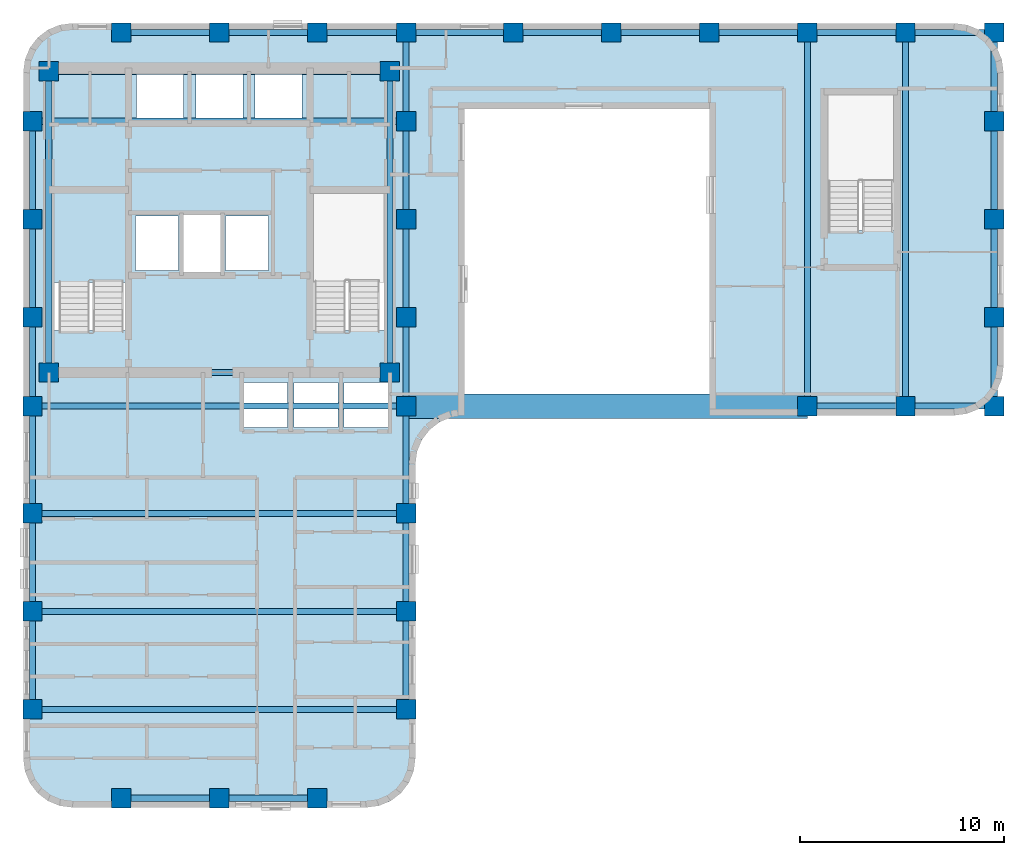
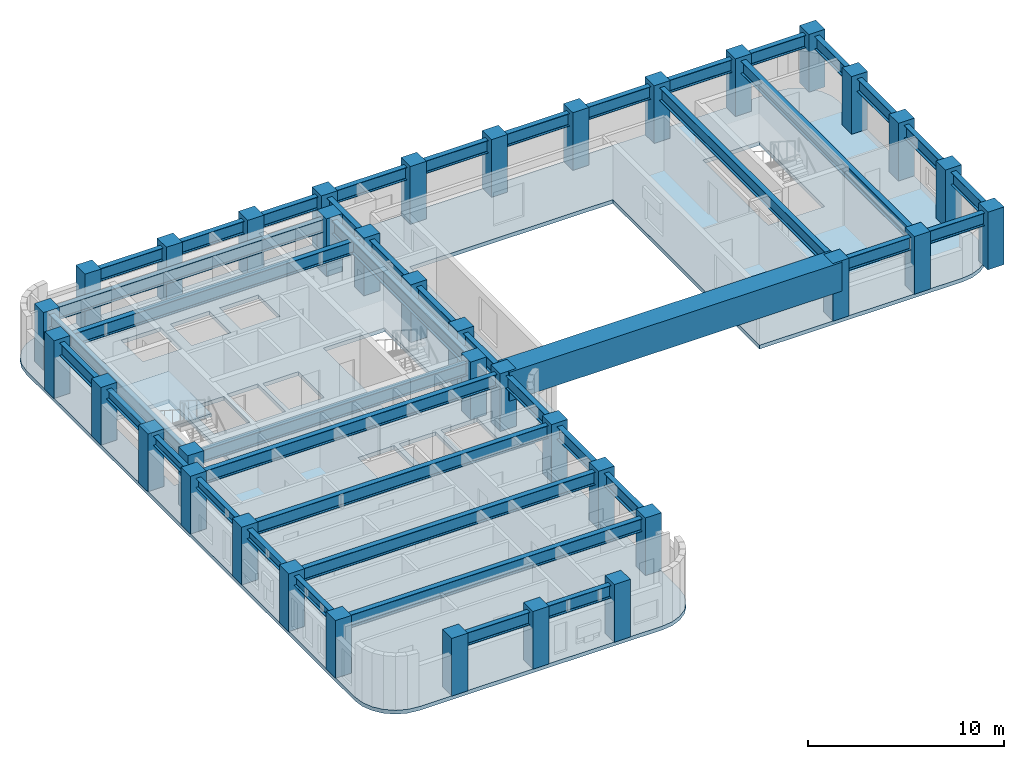
# One storey, part 1 of 8: 42 beams, 37 columns, 2 slabs, 1 element without a shape of its own.
"""IFC4 building model written with IfcOpenShell, lengths in metres."""

from ifc_helpers import new_model, si_unit, direction, frame, origin, origin_2d, place, context, subcontext, project, spatial, polyline, rectangle, i_section, outline, extrude, material, layer, layer_set, material_profile, profile_set, type_object, element, aggregate, save


model = new_model("IFC4")

# Units and contexts
model_context = context("Model", 3, precision=1e-05, world=origin(), true_north=direction((0.0, 1.0)))
body_context = subcontext(model_context, "Body", "Model", "MODEL_VIEW")
ifc_project = project(units=[si_unit("LENGTHUNIT", "METRE"), si_unit("AREAUNIT", "SQUARE_METRE"), si_unit("VOLUMEUNIT", "CUBIC_METRE"), si_unit("PLANEANGLEUNIT", "RADIAN"), si_unit("MASSUNIT", "GRAM", prefix="KILO")], contexts=[model_context])

# Site, building, storey
site_placement = place(None, origin())
site = spatial("IfcSite", under=ifc_project, at=site_placement, CompositionType="ELEMENT")
building_placement = place(site_placement, origin())
building = spatial("IfcBuilding", under=site, at=building_placement, Name="Orvandelia Arch Residences", CompositionType="ELEMENT")
storey_placement = place(building_placement, frame((0.0, 0.0, 107.199951171875)))
storey = spatial("IfcBuildingStorey", under=building, at=storey_placement, Name="L27", CompositionType="ELEMENT", Elevation=107.199951171875)

# Columns
ifc_material_1 = material(Name="Concrete C60/75", Category="concrete")
ifc_material_profile_1 = material_profile(ifc_material_1, rectangle(XDim=0.949951171875, YDim=0.949951171875, at=origin_2d()), Name="Concrete C60/75", Category="concrete")
ifc_profile_set_1 = profile_set([ifc_material_profile_1], Name="Concrete C60/75")
column_type = type_object("IfcColumnType", Name="COL-TWR-950", PredefinedType="COLUMN", material=ifc_profile_set_1)
for number, where, z_axis, x_axis, name in (
    (1, (5.25, 14.39990234375, 0.0), (0.0, 0.0, 1.0), (1.0, 0.0, 0.0), "Structural Column L27-W-W-144"),
    (2, (5.25, 19.199951171875, 0.0), (0.0, 0.0, 1.0), (1.0, 0.0, 0.0), "Structural Column L27-W-W-192"),
    (3, (5.25, 24.0, 0.0), (0.0, 0.0, 1.0), (1.0, 0.0, 0.0), "Structural Column L27-W-W-240"),
    (4, (5.25, 29.25, 0.0), (0.0, 0.0, 1.0), (1.0, 0.0, 0.0), "Structural Column L27-W-W-292"),
    (5, (5.25, 33.60009765625, 0.0), (0.0, 0.0, 1.0), (1.0, 0.0, 0.0), "Structural Column L27-W-W-336"),
    (6, (5.25, 38.39990234375, 0.0), (0.0, 0.0, 1.0), (1.0, 0.0, 0.0), "Structural Column L27-W-W-384"),
    (7, (5.25, 43.199951171875, 0.0), (0.0, 0.0, 1.0), (1.0, 0.0, 0.0), "Structural Column L27-W-W-432"),
    (8, (6.050048828125, 30.89990234375, 0.0), (0.0, 0.0, 1.0), (1.0, 0.0, 0.0), "Structural Column L27-CR-SW"),
    (9, (6.050048828125, 45.64990234375, 0.0), (0.0, 0.0, 1.0), (1.0, 0.0, 0.0), "Structural Column L27-CR-NW"),
    (10, (9.60009765625, 10.050048828125, 0.0), (0.0, 0.0, 1.0), (1.0, 0.0, 0.0), "Structural Column L27-W-S-96"),
    (11, (9.60009765625, 47.550048828125, 0.0), (0.0, 0.0, 1.0), (1.0, 0.0, 0.0), "Structural Column L27-W-N-96"),
    (12, (14.39990234375, 10.050048828125, 0.0), (0.0, 0.0, 1.0), (1.0, 0.0, 0.0), "Structural Column L27-W-S-144"),
    (13, (14.39990234375, 47.550048828125, 0.0), (0.0, 0.0, 1.0), (1.0, 0.0, 0.0), "Structural Column L27-W-N-144"),
    (14, (19.199951171875, 10.050048828125, 0.0), (0.0, 0.0, 1.0), (1.0, 0.0, 0.0), "Structural Column L27-W-S-192"),
    (15, (19.199951171875, 47.550048828125, 0.0), (0.0, 0.0, 1.0), (1.0, 0.0, 0.0), "Structural Column L27-W-N-192"),
    (16, (22.75, 30.89990234375, 0.0), (0.0, 0.0, 1.0), (1.0, 0.0, 0.0), "Structural Column L27-CR-SE"),
    (17, (22.75, 45.64990234375, 0.0), (0.0, 0.0, 1.0), (1.0, 0.0, 0.0), "Structural Column L27-CR-NE"),
    (18, (23.550048828125, 14.39990234375, 0.0), (0.0, 0.0, 1.0), (1.0, 0.0, 0.0), "Structural Column L27-W-E-144"),
    (19, (23.550048828125, 19.199951171875, 0.0), (0.0, 0.0, 1.0), (1.0, 0.0, 0.0), "Structural Column L27-W-E-192"),
    (20, (23.550048828125, 24.0, 0.0), (0.0, 0.0, 1.0), (1.0, 0.0, 0.0), "Structural Column L27-W-E-240"),
    (21, (23.550048828125, 29.25, 0.0), (0.0, 0.0, 1.0), (1.0, 0.0, 0.0), "Structural Column L27-W-E-292"),
    (22, (23.550048828125, 33.60009765625, 0.0), (0.0, 0.0, 1.0), (1.0, 0.0, 0.0), "Structural Column L27-W-E-336"),
    (23, (23.550048828125, 38.39990234375, 0.0), (0.0, 0.0, 1.0), (1.0, 0.0, 0.0), "Structural Column L27-W-E-384"),
    (24, (23.550048828125, 43.199951171875, 0.0), (0.0, 0.0, 1.0), (1.0, 0.0, 0.0), "Structural Column L27-W-E-432"),
    (25, (23.550048828125, 47.550048828125, 0.0), (0.0, 0.0, 1.0), (1.0, 0.0, 0.0), "Structural Column L27-W-N-235"),
    (26, (28.800048828125, 47.550048828125, 0.0), (0.0, 0.0, 1.0), (1.0, 0.0, 0.0), "Structural Column L27-E-N-288"),
    (27, (33.60009765625, 47.550048828125, 0.0), (0.0, 0.0, 1.0), (1.0, 0.0, 0.0), "Structural Column L27-E-N-336"),
    (28, (38.39990234375, 47.550048828125, 0.0), (0.0, 0.0, 1.0), (1.0, 0.0, 0.0), "Structural Column L27-E-N-384"),
    (29, (43.199951171875, 29.25, 0.0), (0.0, 0.0, 1.0), (1.0, 0.0, 0.0), "Structural Column L27-E-S-432"),
    (30, (43.199951171875, 47.550048828125, 0.0), (0.0, 0.0, 1.0), (1.0, 0.0, 0.0), "Structural Column L27-E-N-432"),
    (31, (48.0, 29.25, 0.0), (0.0, 0.0, 1.0), (1.0, 0.0, 0.0), "Structural Column L27-E-S-480"),
    (32, (48.0, 47.550048828125, 0.0), (0.0, 0.0, 1.0), (1.0, 0.0, 0.0), "Structural Column L27-E-N-480"),
    (33, (52.35009765625, 29.25, 0.0), (0.0, 0.0, 1.0), (1.0, 0.0, 0.0), "Structural Column L27-E-S-523"),
    (34, (52.35009765625, 33.60009765625, 0.0), (0.0, 0.0, 1.0), (1.0, 0.0, 0.0), "Structural Column L27-E-523-336"),
    (35, (52.35009765625, 38.39990234375, 0.0), (0.0, 0.0, 1.0), (1.0, 0.0, 0.0), "Structural Column L27-E-523-384"),
    (36, (52.35009765625, 43.199951171875, 0.0), (0.0, 0.0, 1.0), (1.0, 0.0, 0.0), "Structural Column L27-E-523-432"),
    (37, (52.35009765625, 47.550048828125, 0.0), (0.0, 0.0, 1.0), (1.0, 0.0, 0.0), "Structural Column L27-E-N-523"),
):
    element("IfcColumn", number, at=place(storey_placement, frame(where, z_axis=z_axis, x_axis=x_axis)), inside=storey, type_object=column_type, Name=name, PredefinedType="COLUMN", context=body_context, shape_type="SweptSolid", body=[
        extrude(rectangle(XDim=0.949951171875, YDim=0.949951171875, at=origin_2d()), origin(), (0.0, 0.0, 1.0), 3.60009765625),
    ])

# Beams
ifc_material_2 = material(Name="Structural Steel SM355 (355 MPa)", Category="steel")
ifc_material_profile_2 = material_profile(ifc_material_2, i_section(OverallWidth=0.300048828125, OverallDepth=0.800048828125, WebThickness=0.013916015625, FlangeThickness=0.02587890625, FilletRadius=0.02587890625, at=origin_2d()), Name="Structural Steel SM355 (355 MPa)", Category="steel")
ifc_profile_set_2 = profile_set([ifc_material_profile_2], Name="Structural Steel SM355 (355 MPa)")
beam_type_1 = type_object("IfcBeamType", Name="BM-GRD-H800", PredefinedType="BEAM", material=ifc_profile_set_2)
beam_1_placement = place(storey_placement, frame((5.25, 38.39990234375, 2.9599609375), z_axis=(0.0, 1.0, 0.0), x_axis=(-1.0, 0.0, 0.0)))
element("IfcBeam", 38, at=beam_1_placement, inside=storey, type_object=beam_type_1, Name="Structural Frame Beam L27-NS-006", PredefinedType="BEAM", context=body_context, shape_type="SweptSolid", body=[
    extrude(i_section(OverallWidth=0.300048828125, OverallDepth=0.800048828125, WebThickness=0.013916015625, FlangeThickness=0.02587890625, FilletRadius=0.02587890625, at=origin_2d()), origin(), (0.0, 0.0, 1.0), 4.800048828125),
])
for number, where, z_axis, x_axis, name in (
    (39, (6.050048828125, 30.89990234375, 2.9599609375), (0.0, 1.0, 0.0), (-1.0, 0.0, 0.0), "Structural Frame Beam L27-NS-007"),
    (40, (22.75, 30.89990234375, 2.9599609375), (0.0, 1.0, 0.0), (-1.0, 0.0, 0.0), "Structural Frame Beam L27-NS-008"),
):
    element("IfcBeam", number, at=place(storey_placement, frame(where, z_axis=z_axis, x_axis=x_axis)), inside=storey, type_object=beam_type_1, Name=name, PredefinedType="BEAM", context=body_context, shape_type="SweptSolid", body=[
        extrude(i_section(OverallWidth=0.300048828125, OverallDepth=0.800048828125, WebThickness=0.013916015625, FlangeThickness=0.02587890625, FilletRadius=0.02587890625, at=origin_2d()), origin(), (0.0, 0.0, 1.0), 14.75),
    ])
for number, where, z_axis, x_axis, name in (
    (41, (23.550048828125, 14.39990234375, 2.9599609375), (0.0, 1.0, 0.0), (-1.0, 0.0, 0.0), "Structural Frame Beam L27-NS-009"),
    (42, (23.550048828125, 19.199951171875, 2.9599609375), (0.0, 1.0, 0.0), (-1.0, 0.0, 0.0), "Structural Frame Beam L27-NS-010"),
):
    element("IfcBeam", number, at=place(storey_placement, frame(where, z_axis=z_axis, x_axis=x_axis)), inside=storey, type_object=beam_type_1, Name=name, PredefinedType="BEAM", context=body_context, shape_type="SweptSolid", body=[
        extrude(i_section(OverallWidth=0.300048828125, OverallDepth=0.800048828125, WebThickness=0.013916015625, FlangeThickness=0.02587890625, FilletRadius=0.02587890625, at=origin_2d()), origin(), (0.0, 0.0, 1.0), 4.800048828125),
    ])
beam_2_placement = place(storey_placement, frame((23.550048828125, 24.0, 2.9599609375), z_axis=(0.0, 1.0, 0.0), x_axis=(-1.0, 0.0, 0.0)))
element("IfcBeam", 43, at=beam_2_placement, inside=storey, type_object=beam_type_1, Name="Structural Frame Beam L27-NS-011", PredefinedType="BEAM", context=body_context, shape_type="SweptSolid", body=[
    extrude(i_section(OverallWidth=0.300048828125, OverallDepth=0.800048828125, WebThickness=0.013916015625, FlangeThickness=0.02587890625, FilletRadius=0.02587890625, at=origin_2d()), origin(), (0.0, 0.0, 1.0), 5.25),
])
beam_3_placement = place(storey_placement, frame((23.550048828125, 29.25, 2.9599609375), z_axis=(0.0, 1.0, 0.0), x_axis=(-1.0, 0.0, 0.0)))
element("IfcBeam", 44, at=beam_3_placement, inside=storey, type_object=beam_type_1, Name="Structural Frame Beam L27-NS-012", PredefinedType="BEAM", context=body_context, shape_type="SweptSolid", body=[
    extrude(i_section(OverallWidth=0.300048828125, OverallDepth=0.800048828125, WebThickness=0.013916015625, FlangeThickness=0.02587890625, FilletRadius=0.02587890625, at=origin_2d()), origin(), (0.0, 0.0, 1.0), 4.35009765625),
])
beam_4_placement = place(storey_placement, frame((23.550048828125, 33.60009765625, 2.9599609375), z_axis=(0.0, 1.0, 0.0), x_axis=(-1.0, 0.0, 0.0)))
element("IfcBeam", 45, at=beam_4_placement, inside=storey, type_object=beam_type_1, Name="Structural Frame Beam L27-NS-013", PredefinedType="BEAM", context=body_context, shape_type="SweptSolid", body=[
    extrude(i_section(OverallWidth=0.300048828125, OverallDepth=0.800048828125, WebThickness=0.013916015625, FlangeThickness=0.02587890625, FilletRadius=0.02587890625, at=origin_2d()), origin(), (0.0, 0.0, 1.0), 4.7998046875),
])
beam_5_placement = place(storey_placement, frame((23.550048828125, 38.39990234375, 2.9599609375), z_axis=(0.0, 1.0, 0.0), x_axis=(-1.0, 0.0, 0.0)))
element("IfcBeam", 46, at=beam_5_placement, inside=storey, type_object=beam_type_1, Name="Structural Frame Beam L27-NS-014", PredefinedType="BEAM", context=body_context, shape_type="SweptSolid", body=[
    extrude(i_section(OverallWidth=0.300048828125, OverallDepth=0.800048828125, WebThickness=0.013916015625, FlangeThickness=0.02587890625, FilletRadius=0.02587890625, at=origin_2d()), origin(), (0.0, 0.0, 1.0), 4.800048828125),
])
beam_6_placement = place(storey_placement, frame((23.550048828125, 43.199951171875, 2.9599609375), z_axis=(0.0, 1.0, 0.0), x_axis=(-1.0, 0.0, 0.0)))
element("IfcBeam", 47, at=beam_6_placement, inside=storey, type_object=beam_type_1, Name="Structural Frame Beam L27-NS-015", PredefinedType="BEAM", context=body_context, shape_type="SweptSolid", body=[
    extrude(i_section(OverallWidth=0.300048828125, OverallDepth=0.800048828125, WebThickness=0.013916015625, FlangeThickness=0.02587890625, FilletRadius=0.02587890625, at=origin_2d()), origin(), (0.0, 0.0, 1.0), 4.35009765625),
])
for number, where, z_axis, x_axis, name in (
    (48, (43.199951171875, 29.25, 2.9599609375), (0.0, 1.0, 0.0), (-1.0, 0.0, 0.0), "Structural Frame Beam L27-NS-016"),
    (49, (48.0, 29.25, 2.9599609375), (0.0, 1.0, 0.0), (-1.0, 0.0, 0.0), "Structural Frame Beam L27-NS-017"),
):
    element("IfcBeam", number, at=place(storey_placement, frame(where, z_axis=z_axis, x_axis=x_axis)), inside=storey, type_object=beam_type_1, Name=name, PredefinedType="BEAM", context=body_context, shape_type="SweptSolid", body=[
        extrude(i_section(OverallWidth=0.300048828125, OverallDepth=0.800048828125, WebThickness=0.013916015625, FlangeThickness=0.02587890625, FilletRadius=0.02587890625, at=origin_2d()), origin(), (0.0, 0.0, 1.0), 18.300048828125),
    ])
beam_7_placement = place(storey_placement, frame((52.35009765625, 29.25, 2.9599609375), z_axis=(0.0, 1.0, 0.0), x_axis=(-1.0, 0.0, 0.0)))
element("IfcBeam", 50, at=beam_7_placement, inside=storey, type_object=beam_type_1, Name="Structural Frame Beam L27-NS-018", PredefinedType="BEAM", context=body_context, shape_type="SweptSolid", body=[
    extrude(i_section(OverallWidth=0.300048828125, OverallDepth=0.800048828125, WebThickness=0.013916015625, FlangeThickness=0.02587890625, FilletRadius=0.02587890625, at=origin_2d()), origin(), (0.0, 0.0, 1.0), 4.35009765625),
])
beam_8_placement = place(storey_placement, frame((52.35009765625, 33.60009765625, 2.9599609375), z_axis=(0.0, 1.0, 0.0), x_axis=(-1.0, 0.0, 0.0)))
element("IfcBeam", 51, at=beam_8_placement, inside=storey, type_object=beam_type_1, Name="Structural Frame Beam L27-NS-019", PredefinedType="BEAM", context=body_context, shape_type="SweptSolid", body=[
    extrude(i_section(OverallWidth=0.300048828125, OverallDepth=0.800048828125, WebThickness=0.013916015625, FlangeThickness=0.02587890625, FilletRadius=0.02587890625, at=origin_2d()), origin(), (0.0, 0.0, 1.0), 4.7998046875),
])
beam_9_placement = place(storey_placement, frame((52.35009765625, 38.39990234375, 2.9599609375), z_axis=(0.0, 1.0, 0.0), x_axis=(-1.0, 0.0, 0.0)))
element("IfcBeam", 52, at=beam_9_placement, inside=storey, type_object=beam_type_1, Name="Structural Frame Beam L27-NS-020", PredefinedType="BEAM", context=body_context, shape_type="SweptSolid", body=[
    extrude(i_section(OverallWidth=0.300048828125, OverallDepth=0.800048828125, WebThickness=0.013916015625, FlangeThickness=0.02587890625, FilletRadius=0.02587890625, at=origin_2d()), origin(), (0.0, 0.0, 1.0), 4.800048828125),
])
beam_10_placement = place(storey_placement, frame((52.35009765625, 43.199951171875, 2.9599609375), z_axis=(0.0, 1.0, 0.0), x_axis=(-1.0, 0.0, 0.0)))
element("IfcBeam", 53, at=beam_10_placement, inside=storey, type_object=beam_type_1, Name="Structural Frame Beam L27-NS-021", PredefinedType="BEAM", context=body_context, shape_type="SweptSolid", body=[
    extrude(i_section(OverallWidth=0.300048828125, OverallDepth=0.800048828125, WebThickness=0.013916015625, FlangeThickness=0.02587890625, FilletRadius=0.02587890625, at=origin_2d()), origin(), (0.0, 0.0, 1.0), 4.35009765625),
])
beam_11_placement = place(storey_placement, frame((9.60009765625, 10.050048828125, 2.9599609375), z_axis=(1.0, 0.0, 0.0), x_axis=(0.0, 1.0, 0.0)))
element("IfcBeam", 54, at=beam_11_placement, inside=storey, type_object=beam_type_1, Name="Structural Frame Girder L27-EW-022", PredefinedType="BEAM", context=body_context, shape_type="SweptSolid", body=[
    extrude(i_section(OverallWidth=0.300048828125, OverallDepth=0.800048828125, WebThickness=0.013916015625, FlangeThickness=0.02587890625, FilletRadius=0.02587890625, at=origin_2d()), origin(), (0.0, 0.0, 1.0), 4.7998046875),
])
beam_12_placement = place(storey_placement, frame((14.39990234375, 10.050048828125, 2.9599609375), z_axis=(1.0, 0.0, 0.0), x_axis=(0.0, 1.0, 0.0)))
element("IfcBeam", 55, at=beam_12_placement, inside=storey, type_object=beam_type_1, Name="Structural Frame Girder L27-EW-023", PredefinedType="BEAM", context=body_context, shape_type="SweptSolid", body=[
    extrude(i_section(OverallWidth=0.300048828125, OverallDepth=0.800048828125, WebThickness=0.013916015625, FlangeThickness=0.02587890625, FilletRadius=0.02587890625, at=origin_2d()), origin(), (0.0, 0.0, 1.0), 4.800048828125),
])
for number, where, z_axis, x_axis, name in (
    (56, (5.25, 14.39990234375, 2.9599609375), (1.0, 0.0, 0.0), (0.0, 1.0, 0.0), "Structural Frame Girder L27-EW-024"),
    (57, (5.25, 19.199951171875, 2.9599609375), (1.0, 0.0, 0.0), (0.0, 1.0, 0.0), "Structural Frame Girder L27-EW-025"),
    (58, (5.25, 24.0, 2.9599609375), (1.0, 0.0, 0.0), (0.0, 1.0, 0.0), "Structural Frame Girder L27-EW-026"),
    (59, (5.25, 29.25, 2.9599609375), (1.0, 0.0, 0.0), (0.0, 1.0, 0.0), "Structural Frame Girder L27-EW-027"),
):
    element("IfcBeam", number, at=place(storey_placement, frame(where, z_axis=z_axis, x_axis=x_axis)), inside=storey, type_object=beam_type_1, Name=name, PredefinedType="BEAM", context=body_context, shape_type="SweptSolid", body=[
        extrude(i_section(OverallWidth=0.300048828125, OverallDepth=0.800048828125, WebThickness=0.013916015625, FlangeThickness=0.02587890625, FilletRadius=0.02587890625, at=origin_2d()), origin(), (0.0, 0.0, 1.0), 18.300048828125),
    ])
beam_13_placement = place(storey_placement, frame((43.199951171875, 29.25, 2.9599609375), z_axis=(1.0, 0.0, 0.0), x_axis=(0.0, 1.0, 0.0)))
element("IfcBeam", 60, at=beam_13_placement, inside=storey, type_object=beam_type_1, Name="Structural Frame Girder L27-EW-028", PredefinedType="BEAM", context=body_context, shape_type="SweptSolid", body=[
    extrude(i_section(OverallWidth=0.300048828125, OverallDepth=0.800048828125, WebThickness=0.013916015625, FlangeThickness=0.02587890625, FilletRadius=0.02587890625, at=origin_2d()), origin(), (0.0, 0.0, 1.0), 4.800048828125),
])
beam_14_placement = place(storey_placement, frame((48.0, 29.25, 2.9599609375), z_axis=(1.0, 0.0, 0.0), x_axis=(0.0, 1.0, 0.0)))
element("IfcBeam", 61, at=beam_14_placement, inside=storey, type_object=beam_type_1, Name="Structural Frame Girder L27-EW-029", PredefinedType="BEAM", context=body_context, shape_type="SweptSolid", body=[
    extrude(i_section(OverallWidth=0.300048828125, OverallDepth=0.800048828125, WebThickness=0.013916015625, FlangeThickness=0.02587890625, FilletRadius=0.02587890625, at=origin_2d()), origin(), (0.0, 0.0, 1.0), 4.35009765625),
])
beam_15_placement = place(storey_placement, frame((6.050048828125, 30.89990234375, 2.9599609375), z_axis=(1.0, 0.0, 0.0), x_axis=(0.0, 1.0, 0.0)))
element("IfcBeam", 62, at=beam_15_placement, inside=storey, type_object=beam_type_1, Name="Structural Frame Girder L27-EW-030", PredefinedType="BEAM", context=body_context, shape_type="SweptSolid", body=[
    extrude(i_section(OverallWidth=0.300048828125, OverallDepth=0.800048828125, WebThickness=0.013916015625, FlangeThickness=0.02587890625, FilletRadius=0.02587890625, at=origin_2d()), origin(), (0.0, 0.0, 1.0), 16.699951171875),
])
beam_16_placement = place(storey_placement, frame((5.25, 43.199951171875, 2.9599609375), z_axis=(1.0, 0.0, 0.0), x_axis=(0.0, 1.0, 0.0)))
element("IfcBeam", 63, at=beam_16_placement, inside=storey, type_object=beam_type_1, Name="Structural Frame Girder L27-EW-033", PredefinedType="BEAM", context=body_context, shape_type="SweptSolid", body=[
    extrude(i_section(OverallWidth=0.300048828125, OverallDepth=0.800048828125, WebThickness=0.013916015625, FlangeThickness=0.02587890625, FilletRadius=0.02587890625, at=origin_2d()), origin(), (0.0, 0.0, 1.0), 18.300048828125),
])
beam_17_placement = place(storey_placement, frame((6.050048828125, 45.64990234375, 2.9599609375), z_axis=(1.0, 0.0, 0.0), x_axis=(0.0, 1.0, 0.0)))
element("IfcBeam", 64, at=beam_17_placement, inside=storey, type_object=beam_type_1, Name="Structural Frame Girder L27-EW-034", PredefinedType="BEAM", context=body_context, shape_type="SweptSolid", body=[
    extrude(i_section(OverallWidth=0.300048828125, OverallDepth=0.800048828125, WebThickness=0.013916015625, FlangeThickness=0.02587890625, FilletRadius=0.02587890625, at=origin_2d()), origin(), (0.0, 0.0, 1.0), 16.699951171875),
])
beam_18_placement = place(storey_placement, frame((9.60009765625, 47.550048828125, 2.9599609375), z_axis=(1.0, 0.0, 0.0), x_axis=(0.0, 1.0, 0.0)))
element("IfcBeam", 65, at=beam_18_placement, inside=storey, type_object=beam_type_1, Name="Structural Frame Girder L27-EW-035", PredefinedType="BEAM", context=body_context, shape_type="SweptSolid", body=[
    extrude(i_section(OverallWidth=0.300048828125, OverallDepth=0.800048828125, WebThickness=0.013916015625, FlangeThickness=0.02587890625, FilletRadius=0.02587890625, at=origin_2d()), origin(), (0.0, 0.0, 1.0), 4.7998046875),
])
beam_19_placement = place(storey_placement, frame((14.39990234375, 47.550048828125, 2.9599609375), z_axis=(1.0, 0.0, 0.0), x_axis=(0.0, 1.0, 0.0)))
element("IfcBeam", 66, at=beam_19_placement, inside=storey, type_object=beam_type_1, Name="Structural Frame Girder L27-EW-036", PredefinedType="BEAM", context=body_context, shape_type="SweptSolid", body=[
    extrude(i_section(OverallWidth=0.300048828125, OverallDepth=0.800048828125, WebThickness=0.013916015625, FlangeThickness=0.02587890625, FilletRadius=0.02587890625, at=origin_2d()), origin(), (0.0, 0.0, 1.0), 4.800048828125),
])
beam_20_placement = place(storey_placement, frame((19.199951171875, 47.550048828125, 2.9599609375), z_axis=(1.0, 0.0, 0.0), x_axis=(0.0, 1.0, 0.0)))
element("IfcBeam", 67, at=beam_20_placement, inside=storey, type_object=beam_type_1, Name="Structural Frame Girder L27-EW-037", PredefinedType="BEAM", context=body_context, shape_type="SweptSolid", body=[
    extrude(i_section(OverallWidth=0.300048828125, OverallDepth=0.800048828125, WebThickness=0.013916015625, FlangeThickness=0.02587890625, FilletRadius=0.02587890625, at=origin_2d()), origin(), (0.0, 0.0, 1.0), 4.35009765625),
])
beam_21_placement = place(storey_placement, frame((23.550048828125, 47.550048828125, 2.9599609375), z_axis=(1.0, 0.0, 0.0), x_axis=(0.0, 1.0, 0.0)))
element("IfcBeam", 68, at=beam_21_placement, inside=storey, type_object=beam_type_1, Name="Structural Frame Girder L27-EW-038", PredefinedType="BEAM", context=body_context, shape_type="SweptSolid", body=[
    extrude(i_section(OverallWidth=0.300048828125, OverallDepth=0.800048828125, WebThickness=0.013916015625, FlangeThickness=0.02587890625, FilletRadius=0.02587890625, at=origin_2d()), origin(), (0.0, 0.0, 1.0), 5.25),
])
beam_22_placement = place(storey_placement, frame((28.800048828125, 47.550048828125, 2.9599609375), z_axis=(1.0, 0.0, 0.0), x_axis=(0.0, 1.0, 0.0)))
element("IfcBeam", 69, at=beam_22_placement, inside=storey, type_object=beam_type_1, Name="Structural Frame Girder L27-EW-039", PredefinedType="BEAM", context=body_context, shape_type="SweptSolid", body=[
    extrude(i_section(OverallWidth=0.300048828125, OverallDepth=0.800048828125, WebThickness=0.013916015625, FlangeThickness=0.02587890625, FilletRadius=0.02587890625, at=origin_2d()), origin(), (0.0, 0.0, 1.0), 4.800048828125),
])
beam_23_placement = place(storey_placement, frame((33.60009765625, 47.550048828125, 2.9599609375), z_axis=(1.0, 0.0, 0.0), x_axis=(0.0, 1.0, 0.0)))
element("IfcBeam", 70, at=beam_23_placement, inside=storey, type_object=beam_type_1, Name="Structural Frame Girder L27-EW-040", PredefinedType="BEAM", context=body_context, shape_type="SweptSolid", body=[
    extrude(i_section(OverallWidth=0.300048828125, OverallDepth=0.800048828125, WebThickness=0.013916015625, FlangeThickness=0.02587890625, FilletRadius=0.02587890625, at=origin_2d()), origin(), (0.0, 0.0, 1.0), 4.7998046875),
])
for number, where, z_axis, x_axis, name in (
    (71, (38.39990234375, 47.550048828125, 2.9599609375), (1.0, 0.0, 0.0), (0.0, 1.0, 0.0), "Structural Frame Girder L27-EW-041"),
    (72, (43.199951171875, 47.550048828125, 2.9599609375), (1.0, 0.0, 0.0), (0.0, 1.0, 0.0), "Structural Frame Girder L27-EW-042"),
):
    element("IfcBeam", number, at=place(storey_placement, frame(where, z_axis=z_axis, x_axis=x_axis)), inside=storey, type_object=beam_type_1, Name=name, PredefinedType="BEAM", context=body_context, shape_type="SweptSolid", body=[
        extrude(i_section(OverallWidth=0.300048828125, OverallDepth=0.800048828125, WebThickness=0.013916015625, FlangeThickness=0.02587890625, FilletRadius=0.02587890625, at=origin_2d()), origin(), (0.0, 0.0, 1.0), 4.800048828125),
    ])
beam_24_placement = place(storey_placement, frame((48.0, 47.550048828125, 2.9599609375), z_axis=(1.0, 0.0, 0.0), x_axis=(0.0, 1.0, 0.0)))
element("IfcBeam", 73, at=beam_24_placement, inside=storey, type_object=beam_type_1, Name="Structural Frame Girder L27-EW-043", PredefinedType="BEAM", context=body_context, shape_type="SweptSolid", body=[
    extrude(i_section(OverallWidth=0.300048828125, OverallDepth=0.800048828125, WebThickness=0.013916015625, FlangeThickness=0.02587890625, FilletRadius=0.02587890625, at=origin_2d()), origin(), (0.0, 0.0, 1.0), 4.35009765625),
])
ifc_material_profile_3 = material_profile(ifc_material_2, i_section(OverallWidth=0.300048828125, OverallDepth=0.587890625, WebThickness=0.011962890625, FlangeThickness=0.02001953125, FilletRadius=0.02197265625, at=origin_2d()), Name="Structural Steel SM355 (355 MPa)", Category="steel")
ifc_profile_set_3 = profile_set([ifc_material_profile_3], Name="Structural Steel SM355 (355 MPa)")
beam_type_2 = type_object("IfcBeamType", Name="BM-SPN-H588", PredefinedType="SPANDREL", material=ifc_profile_set_3)
for number, where, z_axis, x_axis, name in (
    (74, (5.25, 14.39990234375, 3.066162109375), (0.0, 1.0, 0.0), (-1.0, 0.0, 0.0), "Structural Frame Beam L27-NS-001"),
    (75, (5.25, 19.199951171875, 3.066162109375), (0.0, 1.0, 0.0), (-1.0, 0.0, 0.0), "Structural Frame Beam L27-NS-002"),
):
    element("IfcBeam", number, at=place(storey_placement, frame(where, z_axis=z_axis, x_axis=x_axis)), inside=storey, type_object=beam_type_2, Name=name, PredefinedType="SPANDREL", context=body_context, shape_type="SweptSolid", body=[
        extrude(i_section(OverallWidth=0.300048828125, OverallDepth=0.587890625, WebThickness=0.011962890625, FlangeThickness=0.02001953125, FilletRadius=0.02197265625, at=origin_2d()), origin(), (0.0, 0.0, 1.0), 4.800048828125),
    ])
beam_25_placement = place(storey_placement, frame((5.25, 24.0, 3.066162109375), z_axis=(0.0, 1.0, 0.0), x_axis=(-1.0, 0.0, 0.0)))
element("IfcBeam", 76, at=beam_25_placement, inside=storey, type_object=beam_type_2, Name="Structural Frame Beam L27-NS-003", PredefinedType="SPANDREL", context=body_context, shape_type="SweptSolid", body=[
    extrude(i_section(OverallWidth=0.300048828125, OverallDepth=0.587890625, WebThickness=0.011962890625, FlangeThickness=0.02001953125, FilletRadius=0.02197265625, at=origin_2d()), origin(), (0.0, 0.0, 1.0), 5.25),
])
beam_26_placement = place(storey_placement, frame((5.25, 29.25, 3.066162109375), z_axis=(0.0, 1.0, 0.0), x_axis=(-1.0, 0.0, 0.0)))
element("IfcBeam", 77, at=beam_26_placement, inside=storey, type_object=beam_type_2, Name="Structural Frame Beam L27-NS-004", PredefinedType="SPANDREL", context=body_context, shape_type="SweptSolid", body=[
    extrude(i_section(OverallWidth=0.300048828125, OverallDepth=0.587890625, WebThickness=0.011962890625, FlangeThickness=0.02001953125, FilletRadius=0.02197265625, at=origin_2d()), origin(), (0.0, 0.0, 1.0), 4.35009765625),
])
beam_27_placement = place(storey_placement, frame((5.25, 33.60009765625, 3.066162109375), z_axis=(0.0, 1.0, 0.0), x_axis=(-1.0, 0.0, 0.0)))
element("IfcBeam", 78, at=beam_27_placement, inside=storey, type_object=beam_type_2, Name="Structural Frame Beam L27-NS-005", PredefinedType="SPANDREL", context=body_context, shape_type="SweptSolid", body=[
    extrude(i_section(OverallWidth=0.300048828125, OverallDepth=0.587890625, WebThickness=0.011962890625, FlangeThickness=0.02001953125, FilletRadius=0.02197265625, at=origin_2d()), origin(), (0.0, 0.0, 1.0), 4.7998046875),
])
ifc_material_3 = material(Name="Concrete C80/95", Category="concrete")
ifc_material_profile_4 = material_profile(ifc_material_3, rectangle(XDim=1.199951171875, YDim=1.800048828125, at=origin_2d()), Name="Concrete C80/95", Category="concrete")
ifc_profile_set_4 = profile_set([ifc_material_profile_4], Name="Concrete C80/95")
beam_type_3 = type_object("IfcBeamType", Name="TG-ARCH-1200x1800", PredefinedType="USERDEFINED", material=ifc_profile_set_4)
beam_28_placement = place(storey_placement, frame((23.550048828125, 29.25, 2.699951171875), z_axis=(1.0, 0.0, 0.0), x_axis=(0.0, 1.0, 0.0)))
element("IfcBeam", 79, at=beam_28_placement, inside=storey, type_object=beam_type_3, Name="Portal Bridge Transfer Girder L27", ObjectType="TRANSFER GIRDER", PredefinedType="USERDEFINED", context=body_context, shape_type="SweptSolid", body=[
    extrude(rectangle(XDim=1.199951171875, YDim=1.800048828125, at=origin_2d()), origin(), (0.0, 0.0, 1.0), 19.64990234375),
])

# Stair, slab
ifc_material_4 = material(Name="Concrete C40/50", Category="concrete")
stair_type = type_object("IfcStairType", Name="STAIR-RC-DOGLEG", PredefinedType="HALF_TURN_STAIR", material=ifc_material_4)
stair_placement = place(storey_placement, origin())
stair = element("IfcStair", 80, at=stair_placement, inside=storey, type_object=stair_type, Name="L27 Protected Exit Stair ST-1", PredefinedType="HALF_TURN_STAIR")
ifc_layer_1 = layer(ifc_material_4, 0.219970703125, Name="Concrete C40/50", Category="concrete")
ifc_layer_set_1 = layer_set([ifc_layer_1], Name="Concrete C40/50")
slab_type_1 = type_object("IfcSlabType", Name="SLB-LANDING-220", PredefinedType="LANDING", material=ifc_layer_set_1)
slab_1_placement = place(storey_placement, frame((0.0, 0.0, 1.60009765625)))
slab_1 = element("IfcSlab", 81, at=slab_1_placement, type_object=slab_type_1, Name="ST-1 landing 1", PredefinedType="LANDING", context=body_context, shape_type="SweptSolid", body=[
    extrude(outline(polyline([(9.800048828125, 35.31005859375), (9.800048828125, 39.68994140625), (6.260009765625, 39.68994140625), (6.260009765625, 35.31005859375), (9.800048828125, 35.31005859375)])), origin(), (0.0, 0.0, 1.0), 0.199951171875),
])
aggregate(stair, [slab_1])

# Slab
ifc_layer_2 = layer(ifc_material_4, 0.239990234375, Name="Concrete C40/50", Category="concrete")
ifc_layer_set_2 = layer_set([ifc_layer_2], Name="Concrete C40/50")
slab_type_2 = type_object("IfcSlabType", Name="SLB-TWR-240", PredefinedType="FLOOR", material=ifc_layer_set_2)
slab_2_placement = place(storey_placement, frame((0.0, 0.0, -0.239990234375)))
element("IfcSlab", 82, at=slab_2_placement, inside=storey, type_object=slab_type_2, Name="Structural Floor Slab L27-1", PredefinedType="FLOOR", context=body_context, shape_type="SweptSolid", body=[
    extrude(outline(polyline([(4.800048828125, 12.0), (4.8818359375, 11.37890625), (5.12158203125, 10.800048828125), (5.5029296875, 10.302978515625), (6.0, 9.92138671875), (6.578857421875, 9.681884765625), (7.199951171875, 9.60009765625), (21.60009765625, 9.60009765625), (22.22119140625, 9.681884765625), (22.800048828125, 9.92138671875), (23.297119140625, 10.302978515625), (23.678466796875, 10.800048828125), (23.918212890625, 11.37890625), (24.0, 12.0), (24.0, 26.39990234375), (24.081787109375, 27.021240234375), (24.321533203125, 27.60009765625), (24.702880859375, 28.09716796875), (25.199951171875, 28.478515625), (25.77880859375, 28.71826171875), (26.39990234375, 28.800048828125), (26.39990234375, 43.800048828125), (38.39990234375, 43.800048828125), (38.39990234375, 28.800048828125), (50.39990234375, 28.800048828125), (51.021240234375, 28.8818359375), (51.60009765625, 29.12158203125), (52.09716796875, 29.5029296875), (52.478515625, 30.0), (52.71826171875, 30.578857421875), (52.800048828125, 31.199951171875), (52.800048828125, 45.60009765625), (52.71826171875, 46.22119140625), (52.478515625, 46.800048828125), (52.09716796875, 47.297119140625), (51.60009765625, 47.678466796875), (51.021240234375, 47.918212890625), (50.39990234375, 48.0), (7.199951171875, 48.0), (6.578857421875, 47.918212890625), (6.0, 47.678466796875), (5.5029296875, 47.297119140625), (5.12158203125, 46.800048828125), (4.8818359375, 46.22119140625), (4.800048828125, 45.60009765625), (4.800048828125, 12.0)]), holes=[polyline([(6.219970703125, 32.949951171875), (9.840087890625, 32.949951171875), (9.840087890625, 39.72998046875), (6.219970703125, 39.72998046875), (6.219970703125, 32.949951171875)]), polyline([(18.9599609375, 32.949951171875), (22.580078125, 32.949951171875), (22.580078125, 39.72998046875), (18.9599609375, 39.72998046875), (18.9599609375, 32.949951171875)]), polyline([(44.139892578125, 37.85009765625), (47.47998046875, 37.85009765625), (47.47998046875, 44.5400390625), (44.139892578125, 44.5400390625), (44.139892578125, 37.85009765625)]), polyline([(12.639892578125, 35.81005859375), (14.4599609375, 35.81005859375), (14.4599609375, 38.639892578125), (12.639892578125, 38.639892578125), (12.639892578125, 35.81005859375)]), polyline([(10.300048828125, 35.89990234375), (12.39990234375, 35.89990234375), (12.39990234375, 38.550048828125), (10.300048828125, 38.550048828125), (10.300048828125, 35.89990234375)]), polyline([(14.699951171875, 35.89990234375), (16.800048828125, 35.89990234375), (16.800048828125, 38.550048828125), (14.699951171875, 38.550048828125), (14.699951171875, 35.89990234375)]), polyline([(10.35009765625, 43.300048828125), (12.64990234375, 43.300048828125), (12.64990234375, 45.5), (10.35009765625, 45.5), (10.35009765625, 43.300048828125)]), polyline([(13.25, 43.300048828125), (15.550048828125, 43.300048828125), (15.550048828125, 45.5), (13.25, 45.5), (13.25, 43.300048828125)]), polyline([(16.14990234375, 43.300048828125), (18.449951171875, 43.300048828125), (18.449951171875, 45.5), (16.14990234375, 45.5), (16.14990234375, 43.300048828125)]), polyline([(15.60009765625, 28.199951171875), (17.75, 28.199951171875), (17.75, 30.39990234375), (15.60009765625, 30.39990234375), (15.60009765625, 28.199951171875)]), polyline([(18.050048828125, 28.199951171875), (20.199951171875, 28.199951171875), (20.199951171875, 30.39990234375), (18.050048828125, 30.39990234375), (18.050048828125, 28.199951171875)]), polyline([(20.5, 28.199951171875), (22.64990234375, 28.199951171875), (22.64990234375, 30.39990234375), (20.5, 30.39990234375), (20.5, 28.199951171875)])]), origin(), (0.0, 0.0, 1.0), 0.239990234375),
])

save(model, "model.ifc")
